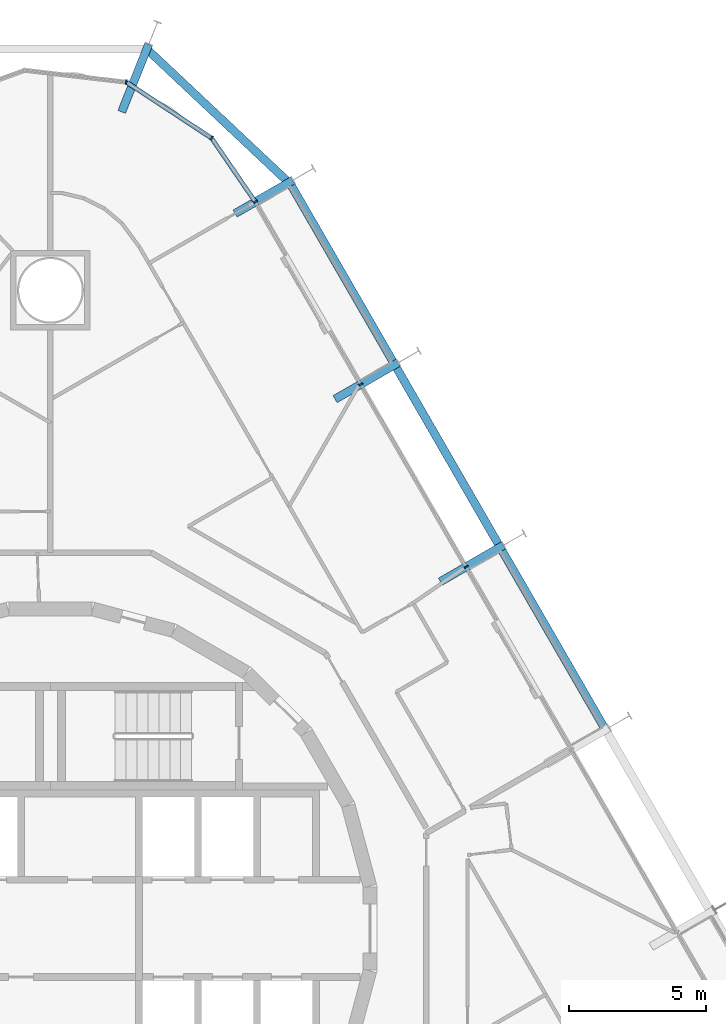
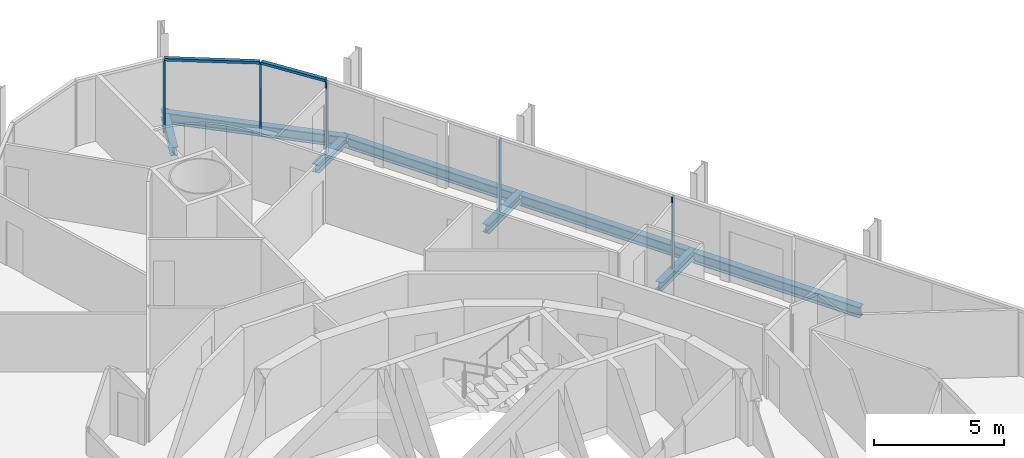
# One storey, part 10 of 21: 8 beams, 7 members, 2 elements without a shape of their own.
"""IFC4 building model written with IfcOpenShell, lengths in metres."""

from ifc_helpers import new_model, si_unit, direction, frame, origin, origin_2d, place, context, subcontext, project, spatial, rectangle, i_section, extrude, material, layer, layer_set, material_profile, profile_set, type_object, element, aggregate, save


model = new_model("IFC4")

# Units and contexts
model_context = context("Model", 3, precision=1e-05, world=origin(), true_north=direction((0.0, 1.0)))
body_context = subcontext(model_context, "Body", "Model", "MODEL_VIEW")
ifc_project = project(units=[si_unit("LENGTHUNIT", "METRE"), si_unit("AREAUNIT", "SQUARE_METRE"), si_unit("VOLUMEUNIT", "CUBIC_METRE"), si_unit("PLANEANGLEUNIT", "RADIAN"), si_unit("MASSUNIT", "GRAM", prefix="KILO")], contexts=[model_context])

# Site, building, storey
site_placement = place(None, origin())
site = spatial("IfcSite", under=ifc_project, at=site_placement, CompositionType="ELEMENT")
building_placement = place(site_placement, origin())
building = spatial("IfcBuilding", under=site, at=building_placement, Name="Spindle Arch Residences", CompositionType="ELEMENT")
storey_placement = place(building_placement, frame((0.0, 0.0, 62.89990234375)))
storey = spatial("IfcBuildingStorey", under=building, at=storey_placement, Name="L14", CompositionType="ELEMENT", Elevation=62.89990234375)

# Curtain wall, members
ifc_material_1 = material(Name="Aluminium bronze unitised frame with tinted glass", Category="aluminium")
ifc_layer_1 = layer(ifc_material_1, 0.159912109375)
ifc_layer_set_1 = layer_set([ifc_layer_1], Name="CW-C typical residential unitised wall")
curtain_wall_type_1 = type_object("IfcCurtainWallType", Name="CW-C typical residential unitised wall", PredefinedType="NOTDEFINED", material=ifc_layer_set_1)
curtain_wall_1_placement = place(storey_placement, origin())
curtain_wall_1 = element("IfcCurtainWall", 1, at=curtain_wall_1_placement, inside=storey, type_object=curtain_wall_type_1, Name="CW-C L14 run 2", PredefinedType="NOTDEFINED")
ifc_material_2 = material(Name="Aluminium bronze anodised mullion", Category="aluminium")
ifc_material_profile_1 = material_profile(ifc_material_2, rectangle(XDim=0.159912109375, YDim=0.06005859375, at=origin_2d()), Name="MU 60x160")
ifc_profile_set_1 = profile_set([ifc_material_profile_1], Name="Aluminium bronze anodised mullion")
member_type_1 = type_object("IfcMemberType", Name="Bronze mullion 60x160", PredefinedType="MULLION", material=ifc_profile_set_1)
member_1_placement = place(storey_placement, frame((15.149169921875, 13.180419921875, -0.3798828125), z_axis=(0.0, 0.0, 1.0), x_axis=(-0.866025403784, -0.5, 0.0)))
member_1 = element("IfcMember", 2, at=member_1_placement, type_object=member_type_1, Name="CW-C mullion 08", PredefinedType="MULLION", context=body_context, shape_type="SweptSolid", body=[
    extrude(rectangle(XDim=0.159912109375, YDim=0.06005859375, at=origin_2d()), origin(), (0.0, 0.0, 1.0), 3.3798828125),
])
member_2_placement = place(storey_placement, frame((11.309326171875, 19.83154296875, -0.3798828125), z_axis=(0.0, 0.0, 1.0), x_axis=(-0.866025403784, -0.5, 0.0)))
member_2 = element("IfcMember", 3, at=member_2_placement, type_object=member_type_1, Name="CW-C mullion 09", PredefinedType="MULLION", context=body_context, shape_type="SweptSolid", body=[
    extrude(rectangle(XDim=0.159912109375, YDim=0.06005859375, at=origin_2d()), origin(), (0.0, 0.0, 1.0), 3.3798828125),
])
aggregate(curtain_wall_1, [member_1, member_2])

ifc_material_3 = material(Name="Aluminium bronze unitised frame with tinted glass", Category="aluminium")
ifc_layer_2 = layer(ifc_material_3, 0.159912109375)
ifc_layer_set_2 = layer_set([ifc_layer_2], Name="CW-D corner wall on the fillet arcs")
curtain_wall_type_2 = type_object("IfcCurtainWallType", Name="CW-D corner wall on the fillet arcs", PredefinedType="NOTDEFINED", material=ifc_layer_set_2)
curtain_wall_2_placement = place(storey_placement, origin())
curtain_wall_2 = element("IfcCurtainWall", 4, at=curtain_wall_2_placement, inside=storey, type_object=curtain_wall_type_2, Name="CW-D L14 run 3", PredefinedType="NOTDEFINED")
member_3_placement = place(storey_placement, frame((7.46923828125, 26.48291015625, -0.3798828125), z_axis=(0.0, 0.0, 1.0), x_axis=(-0.824747802142, -0.565500718711, 0.0)))
member_3 = element("IfcMember", 5, at=member_3_placement, type_object=member_type_1, Name="CW-D mullion 00", PredefinedType="MULLION", context=body_context, shape_type="SweptSolid", body=[
    extrude(rectangle(XDim=0.159912109375, YDim=0.06005859375, at=origin_2d()), origin(), (0.0, 0.0, 1.0), 3.3798828125),
])
member_4_placement = place(storey_placement, frame((5.877197265625, 28.8046875, -0.3798828125), z_axis=(0.0, 0.0, 1.0), x_axis=(-0.549508977628, -0.835487811704, 0.0)))
member_4 = element("IfcMember", 6, at=member_4_placement, type_object=member_type_1, Name="CW-D mullion 01", PredefinedType="MULLION", context=body_context, shape_type="SweptSolid", body=[
    extrude(rectangle(XDim=0.159912109375, YDim=0.06005859375, at=origin_2d()), origin(), (0.0, 0.0, 1.0), 3.3798828125),
])
member_5_placement = place(storey_placement, frame((2.763427734375, 30.8525390625, -0.3798828125), z_axis=(0.0, 0.0, 1.0), x_axis=(-0.116092915414, -0.993238357591, 0.0)))
member_5 = element("IfcMember", 7, at=member_5_placement, type_object=member_type_1, Name="CW-D mullion 02", PredefinedType="MULLION", context=body_context, shape_type="SweptSolid", body=[
    extrude(rectangle(XDim=0.159912109375, YDim=0.06005859375, at=origin_2d()), origin(), (0.0, 0.0, 1.0), 3.3798828125),
])
ifc_material_4 = material(Name="Aluminium bronze anodised transom", Category="aluminium")
ifc_material_profile_2 = material_profile(ifc_material_4, rectangle(XDim=0.159912109375, YDim=0.1201171875, at=origin_2d()), Name="TR 120x160")
ifc_profile_set_2 = profile_set([ifc_material_profile_2], Name="Aluminium bronze anodised transom")
member_type_2 = type_object("IfcMemberType", Name="Bronze transom 120x160", PredefinedType="USERDEFINED", material=ifc_profile_set_2)
member_6_placement = place(storey_placement, frame((7.4521484375, 26.507568359375, 3.06005859375), z_axis=(-0.565490471855, 0.824754827958, 0.0), x_axis=(-0.824754827958, -0.565490471855, 0.0)))
member_6 = element("IfcMember", 8, at=member_6_placement, type_object=member_type_2, Name="CW-D transom 00", ObjectType="TRANSOM", PredefinedType="USERDEFINED", context=body_context, shape_type="SweptSolid", body=[
    extrude(rectangle(XDim=0.159912109375, YDim=0.1201171875, at=origin_2d()), origin(), (0.0, 0.0, 1.0), 2.75537109375),
])
member_7_placement = place(storey_placement, frame((5.85205078125, 28.821044921875, 3.06005859375), z_axis=(-0.835486265536, 0.549511328456, 0.0), x_axis=(-0.549511328456, -0.835486265536, 0.0)))
member_7 = element("IfcMember", 9, at=member_7_placement, type_object=member_type_2, Name="CW-D transom 01", ObjectType="TRANSOM", PredefinedType="USERDEFINED", context=body_context, shape_type="SweptSolid", body=[
    extrude(rectangle(XDim=0.159912109375, YDim=0.1201171875, at=origin_2d()), origin(), (0.0, 0.0, 1.0), 3.666748046875),
])
aggregate(curtain_wall_2, [member_3, member_6, member_4, member_7, member_5])

# Beams
ifc_material_5 = material(Name="Steel S460ML, intumescent coating R 120", Category="steel")
ifc_material_profile_3 = material_profile(ifc_material_5, i_section(OverallWidth=0.300048828125, OverallDepth=0.5, WebThickness=0.014404296875, FlangeThickness=0.028076171875, FilletRadius=0.027099609375, at=origin_2d()), Name="HEB 500")
ifc_profile_set_3 = profile_set([ifc_material_profile_3], Name="Steel S460ML, intumescent coating R 120")
beam_type_1 = type_object("IfcBeamType", Name="Exoskeleton edge beam HEB 500", PredefinedType="BEAM", material=ifc_profile_set_3)
for number, where, z_axis, x_axis, name in (
    (10, (20.165283203125, 7.3583984375, -0.6298828125), (-0.5000139068, 0.866017374541, 0.0), (-0.866017374541, -0.5000139068, 0.0), "Exoskeleton edge beam 8"),
    (11, (16.3251953125, 14.009521484375, -0.6298828125), (-0.49998923004, 0.866031621735, 0.0), (-0.866031621735, -0.49998923004, 0.0), "Exoskeleton edge beam 9"),
):
    element("IfcBeam", number, at=place(storey_placement, frame(where, z_axis=z_axis, x_axis=x_axis)), inside=storey, type_object=beam_type_1, Name=name, PredefinedType="BEAM", context=body_context, shape_type="SweptSolid", body=[
        extrude(i_section(OverallWidth=0.300048828125, OverallDepth=0.5, WebThickness=0.014404296875, FlangeThickness=0.028076171875, FilletRadius=0.027099609375, at=origin_2d()), origin(), (0.0, 0.0, 1.0), 7.420166015625),
    ])
beam_1_placement = place(storey_placement, frame((12.485107421875, 20.660888671875, -0.6298828125), z_axis=(-0.500003477455, 0.866023396066, 0.0), x_axis=(-0.866023396066, -0.500003477455, 0.0)))
element("IfcBeam", 12, at=beam_1_placement, inside=storey, type_object=beam_type_1, Name="Exoskeleton edge beam 10", PredefinedType="BEAM", context=body_context, shape_type="SweptSolid", body=[
    extrude(i_section(OverallWidth=0.300048828125, OverallDepth=0.5, WebThickness=0.014404296875, FlangeThickness=0.028076171875, FilletRadius=0.027099609375, at=origin_2d()), origin(), (0.0, 0.0, 1.0), 7.419921875),
])
beam_2_placement = place(storey_placement, frame((8.739501953125, 27.13818359375, -0.6298828125), z_axis=(-0.728394714383, 0.685157748303, 0.0), x_axis=(-0.685157748303, -0.728394714383, 0.0)))
element("IfcBeam", 13, at=beam_2_placement, inside=storey, type_object=beam_type_1, Name="Exoskeleton edge beam 11", PredefinedType="BEAM", context=body_context, shape_type="SweptSolid", body=[
    extrude(i_section(OverallWidth=0.300048828125, OverallDepth=0.5, WebThickness=0.014404296875, FlangeThickness=0.028076171875, FilletRadius=0.027099609375, at=origin_2d()), origin(), (0.0, 0.0, 1.0), 7.250244140625),
])
ifc_material_6 = material(Name="Steel S460ML, intumescent coating R 120", Category="steel")
ifc_material_profile_4 = material_profile(ifc_material_6, i_section(OverallWidth=0.300048828125, OverallDepth=0.389892578125, WebThickness=0.010986328125, FlangeThickness=0.01904296875, FilletRadius=0.027099609375, at=origin_2d()), Name="HEA 400")
ifc_profile_set_4 = profile_set([ifc_material_profile_4], Name="Steel S460ML, intumescent coating R 120")
beam_type_2 = type_object("IfcBeamType", Name="Floor outrigger HEA 400", PredefinedType="BEAM", material=ifc_profile_set_4)
for number, where, z_axis, x_axis, name in (
    (14, (16.5087890625, 13.965576171875, -0.574951171875), (-0.865989200783, -0.500062700197, 0.0), (0.500062700197, -0.865989200783, 0.0), "Floor outrigger 9"),
    (15, (12.6689453125, 20.61669921875, -0.574951171875), (-0.866052124492, -0.499953715521, 0.0), (0.499953715521, -0.866052124492, 0.0), "Floor outrigger 10"),
):
    element("IfcBeam", number, at=place(storey_placement, frame(where, z_axis=z_axis, x_axis=x_axis)), inside=storey, type_object=beam_type_2, Name=name, PredefinedType="BEAM", context=body_context, shape_type="SweptSolid", body=[
        extrude(i_section(OverallWidth=0.300048828125, OverallDepth=0.389892578125, WebThickness=0.010986328125, FlangeThickness=0.01904296875, FilletRadius=0.027099609375, at=origin_2d()), origin(), (0.0, 0.0, 1.0), 2.650146484375),
    ])
beam_3_placement = place(storey_placement, frame((8.828857421875, 27.267822265625, -0.574951171875), z_axis=(-0.866002732682, -0.500039265445, 0.0), x_axis=(0.500039265445, -0.866002732682, 0.0)))
element("IfcBeam", 16, at=beam_3_placement, inside=storey, type_object=beam_type_2, Name="Floor outrigger 11", PredefinedType="BEAM", context=body_context, shape_type="SweptSolid", body=[
    extrude(i_section(OverallWidth=0.300048828125, OverallDepth=0.389892578125, WebThickness=0.010986328125, FlangeThickness=0.01904296875, FilletRadius=0.027099609375, at=origin_2d()), origin(), (0.0, 0.0, 1.0), 2.423583984375),
])
beam_4_placement = place(storey_placement, frame((3.581298828125, 32.220703125, -0.574951171875), z_axis=(-0.371104734129, -0.928591016706, 0.0), x_axis=(0.928591016706, -0.371104734129, 0.0)))
element("IfcBeam", 17, at=beam_4_placement, inside=storey, type_object=beam_type_2, Name="Floor outrigger 12", PredefinedType="BEAM", context=body_context, shape_type="SweptSolid", body=[
    extrude(i_section(OverallWidth=0.300048828125, OverallDepth=0.389892578125, WebThickness=0.010986328125, FlangeThickness=0.01904296875, FilletRadius=0.027099609375, at=origin_2d()), origin(), (0.0, 0.0, 1.0), 2.64990234375),
])

save(model, "model.ifc")
